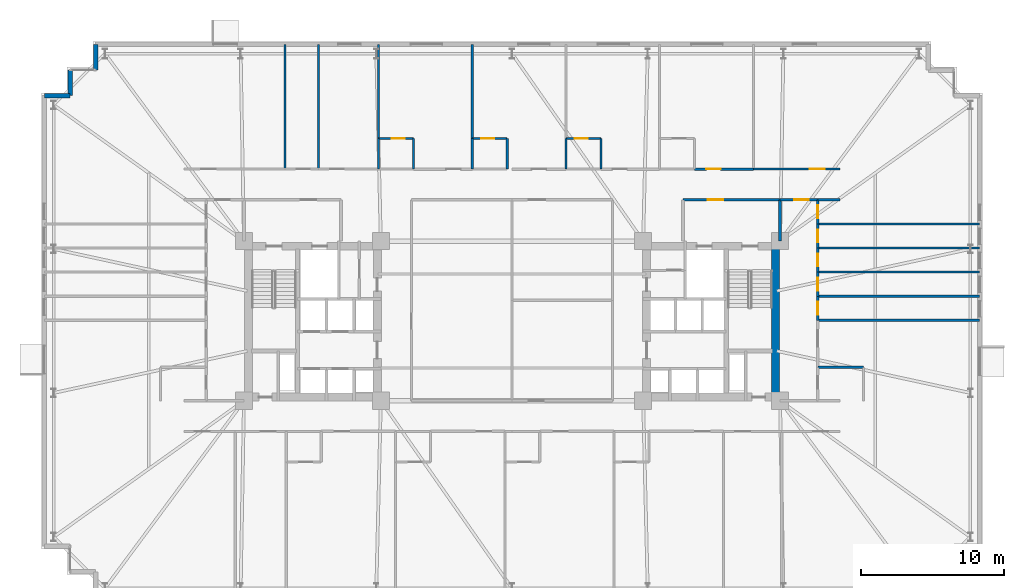
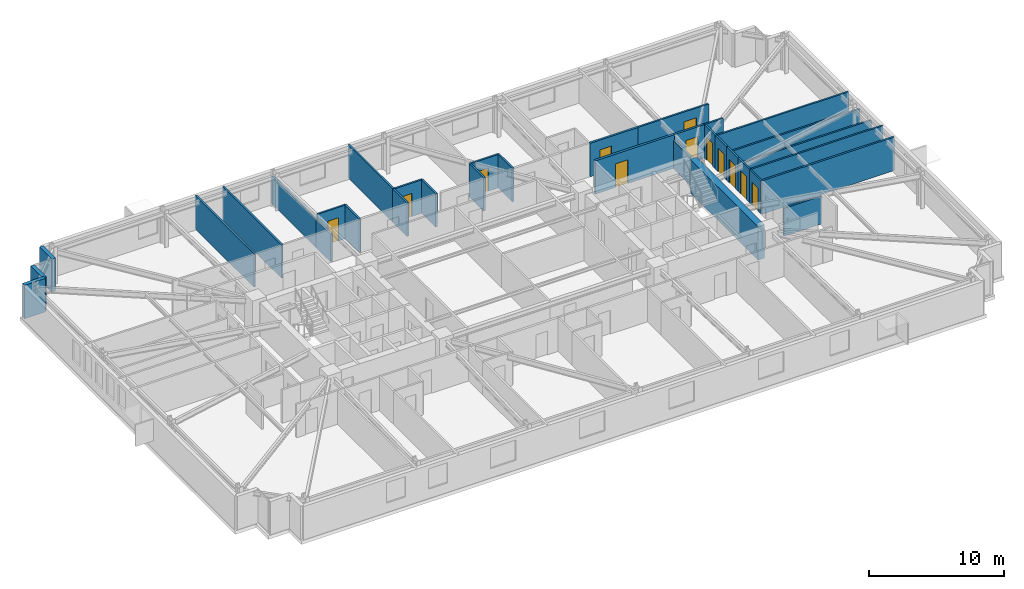
# One storey, part 18 of 21: 34 walls, 12 doors, 12 openings.
"""IFC4 building model written with IfcOpenShell, lengths in metres."""

from ifc_helpers import new_model, si_unit, direction, frame, frame_2d, origin, place, context, subcontext, project, spatial, rectangle, extrude, material, layer, layer_set, type_object, element, fill, save


model = new_model("IFC4")

# Units and contexts
model_context = context("Model", 3, precision=1e-05, world=origin(), true_north=direction((0.0, 1.0)))
body_context = subcontext(model_context, "Body", "Model", "MODEL_VIEW")
ifc_project = project(units=[si_unit("LENGTHUNIT", "METRE"), si_unit("AREAUNIT", "SQUARE_METRE"), si_unit("VOLUMEUNIT", "CUBIC_METRE"), si_unit("PLANEANGLEUNIT", "RADIAN"), si_unit("MASSUNIT", "GRAM", prefix="KILO")], contexts=[model_context])

# Site, building, storey
site_placement = place(None, origin())
site = spatial("IfcSite", under=ifc_project, at=site_placement, CompositionType="ELEMENT")
building_placement = place(site_placement, origin())
building = spatial("IfcBuilding", under=site, at=building_placement, Name="Qobustan Lattice House", CompositionType="ELEMENT")
storey_placement = place(building_placement, frame((0.0, 0.0, 30.35009765625)))
storey = spatial("IfcBuildingStorey", under=building, at=storey_placement, Name="L07", CompositionType="ELEMENT", Elevation=30.35009765625)

# Walls
ifc_material_1 = material(Name="Concrete C60/75", Category="concrete")
ifc_layer_1 = layer(ifc_material_1, 0.56005859375)
ifc_layer_set_1 = layer_set([ifc_layer_1], Name="Concrete C60/75")
wall_type_1 = type_object("IfcWallType", Name="WAL-CORE-600", PredefinedType="SHEAR", material=ifc_layer_set_1)
wall_1_placement = place(storey_placement, frame((18.489990234375, -5.050048828125, 0.0), z_axis=(0.0, 0.0, 1.0), x_axis=(0.0, 1.0, 0.0)))
element("IfcWall", 1, at=wall_1_placement, inside=storey, type_object=wall_type_1, Name="L07 split-core shear wall CE-E", PredefinedType="SHEAR", context=body_context, shape_type="SweptSolid", body=[
    extrude(rectangle(XDim=10.10009765625, YDim=0.56005859375, at=frame_2d((5.050048828125, 0.0))), origin(), (0.0, 0.0, 1.0), 3.034912109375),
])
ifc_material_2 = material(Name="Precast concrete C40/50", Category="concrete")
ifc_layer_2 = layer(ifc_material_2, 0.320068359375)
ifc_layer_set_2 = layer_set([ifc_layer_2], Name="Precast concrete C40/50")
wall_type_2 = type_object("IfcWallType", Name="WAL-EXT-STONE-320", PredefinedType="SOLIDWALL", material=ifc_layer_set_2)
for number, where, z_axis, x_axis, name in (
    (2, (-32.800048828125, 15.800048828125, 0.0), (0.0, 0.0, 1.0), (1.0, 0.0, 0.0), "L07 exterior limestone-clad wall 6"),
    (3, (-31.0, 15.800048828125, 0.0), (0.0, 0.0, 1.0), (0.0, 1.0, 0.0), "L07 exterior limestone-clad wall 7"),
):
    element("IfcWall", number, at=place(storey_placement, frame(where, z_axis=z_axis, x_axis=x_axis)), inside=storey, type_object=wall_type_2, Name=name, PredefinedType="SOLIDWALL", context=body_context, shape_type="SweptSolid", body=[
        extrude(rectangle(XDim=1.800048828125, YDim=0.320068359375, at=frame_2d((0.89990234375, 0.0))), origin(), (0.0, 0.0, 1.0), 3.034912109375),
    ])
wall_2_placement = place(storey_placement, frame((-29.199951171875, 17.60009765625, 0.0), z_axis=(0.0, 0.0, 1.0), x_axis=(0.0, 1.0, 0.0)))
element("IfcWall", 4, at=wall_2_placement, inside=storey, type_object=wall_type_2, Name="L07 exterior limestone-clad wall 9", PredefinedType="SOLIDWALL", context=body_context, shape_type="SweptSolid", body=[
    extrude(rectangle(XDim=1.7998046875, YDim=0.320068359375, at=frame_2d((0.89990234375, 0.0))), origin(), (0.0, 0.0, 1.0), 3.034912109375),
])

# Wall, opening, door
ifc_material_3 = material(Name="Gypsum fireboard acoustic partition", Category="gypsum")
ifc_layer_3 = layer(ifc_material_3, 0.179931640625)
ifc_layer_set_3 = layer_set([ifc_layer_3], Name="Gypsum fireboard acoustic partition")
wall_type_3 = type_object("IfcWallType", Name="WAL-FIRE-180", PredefinedType="PARTITIONING", material=ifc_layer_set_3)
wall_3_placement = place(storey_placement, frame((21.449951171875, 8.5, 0.0), z_axis=(0.0, 0.0, 1.0), x_axis=(-1.0, 0.0, 0.0)))
wall_3 = element("IfcWall", 5, at=wall_3_placement, inside=storey, type_object=wall_type_3, Name="L07 interior partition 47", PredefinedType="PARTITIONING", context=body_context, shape_type="SweptSolid", body=[
    extrude(rectangle(XDim=2.64990234375, YDim=0.179931640625, at=frame_2d((1.324951171875, 0.0))), origin(), (0.0, 0.0, 1.0), 3.034912109375),
])
opening_1_placement = place(wall_3_placement, frame((0.64111328125, 0.0, 0.0)))
opening_1 = element("IfcOpeningElement", 6, at=opening_1_placement, cuts=wall_3, Name="Opening FD-02", PredefinedType="OPENING", context=body_context, shape_type="SweptSolid", body=[
    extrude(rectangle(XDim=1.0, YDim=2.14990234375, at=frame_2d((0.5, 1.074951171875))), frame((0.0, 0.099853515625, 0.0), z_axis=(0.0, -1.0, 0.0), x_axis=(1.0, 0.0, 0.0)), (0.0, 0.0, 1.0), 0.199951171875),
])
ifc_material_4 = material(Name="Persian walnut timber and steel frame door", Category="steel")
door_type_1 = type_object("IfcDoorType", Name="DOR-UNIT-FD-1000x2150", OperationType="NOTDEFINED", PredefinedType="DOOR", material=ifc_material_4)
door_1_placement = place(opening_1_placement, origin())
door_1 = element("IfcDoor", 7, at=door_1_placement, inside=storey, type_object=door_type_1, Name="L07 North-east floor corridor to Residence entrance hall L07E door", OperationType="SINGLE_SWING_LEFT", OverallHeight=2.14990234375, OverallWidth=1.0, PredefinedType="DOOR", context=body_context, shape_type="SweptSolid", body=[
    extrude(rectangle(XDim=1.0, YDim=2.14990234375, at=frame_2d((0.5, 1.074951171875))), frame((0.0, 0.02490234375, 0.0), z_axis=(0.0, -1.0, 0.0), x_axis=(1.0, 0.0, 0.0)), (0.0, 0.0, 1.0), 0.050048828125),
])
fill(opening_1, door_1)

wall_4_placement = place(storey_placement, frame((12.806884765625, 10.64990234375, 0.0), z_axis=(0.0, 0.0, 1.0), x_axis=(1.0, 0.0, 0.0)))
wall_4 = element("IfcWall", 8, at=wall_4_placement, inside=storey, type_object=wall_type_3, Name="L07 interior partition 52", PredefinedType="PARTITIONING", context=body_context, shape_type="SweptSolid", body=[
    extrude(rectangle(XDim=4.1220703125, YDim=0.179931640625, at=frame_2d((2.06103515625, 0.0))), origin(), (0.0, 0.0, 1.0), 3.034912109375),
])
opening_2_placement = place(wall_4_placement, frame((0.8251953125, 0.0, 0.0)))
opening_2 = element("IfcOpeningElement", 9, at=opening_2_placement, cuts=wall_4, Name="Opening FD-02", PredefinedType="OPENING", context=body_context, shape_type="SweptSolid", body=[
    extrude(rectangle(XDim=1.0, YDim=2.14990234375, at=frame_2d((0.5, 1.074951171875))), frame((0.0, 0.099853515625, 0.0), z_axis=(0.0, -1.0, 0.0), x_axis=(1.0, 0.0, 0.0)), (0.0, 0.0, 1.0), 0.199951171875),
])
door_2_placement = place(opening_2_placement, origin())
door_2 = element("IfcDoor", 10, at=door_2_placement, inside=storey, type_object=door_type_1, Name="L07 North-east floor corridor to Kitchenette and studio apartment L07-N6 door", OperationType="SINGLE_SWING_RIGHT", OverallHeight=2.14990234375, OverallWidth=1.0, PredefinedType="DOOR", context=body_context, shape_type="SweptSolid", body=[
    extrude(rectangle(XDim=1.0, YDim=2.14990234375, at=frame_2d((0.5, 1.074951171875))), frame((0.0, 0.02490234375, 0.0), z_axis=(0.0, -1.0, 0.0), x_axis=(1.0, 0.0, 0.0)), (0.0, 0.0, 1.0), 0.050048828125),
])
fill(opening_2, door_2)

# Wall
ifc_material_5 = material(Name="Acoustic twin-stud gypsum partition", Category="gypsum")
ifc_layer_4 = layer(ifc_material_5, 0.14990234375)
ifc_layer_set_4 = layer_set([ifc_layer_4], Name="Acoustic twin-stud gypsum partition")
wall_type_4 = type_object("IfcWallType", Name="WAL-PART-150", PredefinedType="PARTITIONING", material=ifc_layer_set_4)
wall_5_placement = place(storey_placement, frame((23.0, 8.5, 0.0), z_axis=(0.0, 0.0, 1.0), x_axis=(-1.0, 0.0, 0.0)))
element("IfcWall", 11, at=wall_5_placement, inside=storey, type_object=wall_type_4, Name="L07 interior partition 48", PredefinedType="PARTITIONING", context=body_context, shape_type="SweptSolid", body=[
    extrude(rectangle(XDim=1.550048828125, YDim=0.14990234375, at=frame_2d((0.77490234375, 0.0))), origin(), (0.0, 0.0, 1.0), 3.034912109375),
])

# Wall, opening, door
wall_6_placement = place(storey_placement, frame((16.928955078125, 10.64990234375, 0.0), z_axis=(0.0, 0.0, 1.0), x_axis=(1.0, 0.0, 0.0)))
wall_6 = element("IfcWall", 12, at=wall_6_placement, inside=storey, type_object=wall_type_4, Name="L07 interior partition 54", PredefinedType="PARTITIONING", context=body_context, shape_type="SweptSolid", body=[
    extrude(rectangle(XDim=6.071044921875, YDim=0.14990234375, at=frame_2d((3.03564453125, 0.0))), origin(), (0.0, 0.0, 1.0), 3.034912109375),
])
opening_3_placement = place(wall_6_placement, frame((3.95849609375, 0.0, 0.0)))
opening_3 = element("IfcOpeningElement", 13, at=opening_3_placement, cuts=wall_6, Name="Opening ID-02", PredefinedType="OPENING", context=body_context, shape_type="SweptSolid", body=[
    extrude(rectangle(XDim=1.050048828125, YDim=2.14990234375, at=frame_2d((0.52490234375, 1.074951171875))), frame((0.0, 0.0849609375, 0.0), z_axis=(0.0, -1.0, 0.0), x_axis=(1.0, 0.0, 0.0)), (0.0, 0.0, 1.0), 0.169921875),
])
ifc_material_6 = material(Name="Persian walnut timber and steel frame door", Category="steel")
door_type_2 = type_object("IfcDoorType", Name="DOR-STUDY-1050x2150", OperationType="NOTDEFINED", PredefinedType="DOOR", material=ifc_material_6)
door_3_placement = place(opening_3_placement, origin())
door_3 = element("IfcDoor", 14, at=door_3_placement, inside=storey, type_object=door_type_2, Name="L07 North-east floor corridor to Focus study room N7 door", OperationType="SINGLE_SWING_LEFT", OverallHeight=2.14990234375, OverallWidth=1.050048828125, PredefinedType="DOOR", context=body_context, shape_type="SweptSolid", body=[
    extrude(rectangle(XDim=1.050048828125, YDim=2.14990234375, at=frame_2d((0.52490234375, 1.074951171875))), frame((0.0, 0.02490234375, 0.0), z_axis=(0.0, -1.0, 0.0), x_axis=(1.0, 0.0, 0.0)), (0.0, 0.0, 1.0), 0.050048828125),
])
fill(opening_3, door_3)

wall_7_placement = place(storey_placement, frame((21.449951171875, 1.73193359375, 0.0), z_axis=(0.0, 0.0, 1.0), x_axis=(0.0, -1.0, 0.0)))
wall_7 = element("IfcWall", 15, at=wall_7_placement, inside=storey, type_object=wall_type_4, Name="L07 interior partition 94", PredefinedType="PARTITIONING", context=body_context, shape_type="SweptSolid", body=[
    extrude(rectangle(XDim=1.69189453125, YDim=0.14990234375, at=frame_2d((0.845947265625, 0.0))), origin(), (0.0, 0.0, 1.0), 3.034912109375),
])
opening_4_placement = place(wall_7_placement, frame((0.39599609375, 0.0, 0.0)))
opening_4 = element("IfcOpeningElement", 16, at=opening_4_placement, cuts=wall_7, Name="Opening WD-01", PredefinedType="OPENING", context=body_context, shape_type="SweptSolid", body=[
    extrude(rectangle(XDim=0.89990234375, YDim=2.10009765625, at=frame_2d((0.449951171875, 1.050048828125))), frame((0.0, 0.0849609375, 0.0), z_axis=(0.0, -1.0, 0.0), x_axis=(1.0, 0.0, 0.0)), (0.0, 0.0, 1.0), 0.169921875),
])
ifc_material_7 = material(Name="Persian walnut timber and steel frame door", Category="steel")
door_type_3 = type_object("IfcDoorType", Name="DOR-WET-900x2100", OperationType="NOTDEFINED", PredefinedType="DOOR", material=ifc_material_7)
door_4_placement = place(opening_4_placement, origin())
door_4 = element("IfcDoor", 17, at=door_4_placement, inside=storey, type_object=door_type_3, Name="L07 Residence entrance hall L07E to Cluster bedroom L07E1 door", OperationType="SINGLE_SWING_RIGHT", OverallHeight=2.10009765625, OverallWidth=0.89990234375, PredefinedType="DOOR", context=body_context, shape_type="SweptSolid", body=[
    extrude(rectangle(XDim=0.89990234375, YDim=2.10009765625, at=frame_2d((0.449951171875, 1.050048828125))), frame((0.0, 0.02490234375, 0.0), z_axis=(0.0, -1.0, 0.0), x_axis=(1.0, 0.0, 0.0)), (0.0, 0.0, 1.0), 0.050048828125),
])
fill(opening_4, door_4)

wall_8_placement = place(storey_placement, frame((21.449951171875, 3.424072265625, 0.0), z_axis=(0.0, 0.0, 1.0), x_axis=(0.0, -1.0, 0.0)))
wall_8 = element("IfcWall", 18, at=wall_8_placement, inside=storey, type_object=wall_type_4, Name="L07 interior partition 95", PredefinedType="PARTITIONING", context=body_context, shape_type="SweptSolid", body=[
    extrude(rectangle(XDim=1.692138671875, YDim=0.14990234375, at=frame_2d((0.84619140625, 0.0))), origin(), (0.0, 0.0, 1.0), 3.034912109375),
])
opening_5_placement = place(wall_8_placement, frame((0.39599609375, 0.0, 0.0)))
opening_5 = element("IfcOpeningElement", 19, at=opening_5_placement, cuts=wall_8, Name="Opening WD-01", PredefinedType="OPENING", context=body_context, shape_type="SweptSolid", body=[
    extrude(rectangle(XDim=0.89990234375, YDim=2.10009765625, at=frame_2d((0.449951171875, 1.050048828125))), frame((0.0, 0.0849609375, 0.0), z_axis=(0.0, -1.0, 0.0), x_axis=(1.0, 0.0, 0.0)), (0.0, 0.0, 1.0), 0.169921875),
])
door_5_placement = place(opening_5_placement, origin())
door_5 = element("IfcDoor", 20, at=door_5_placement, inside=storey, type_object=door_type_3, Name="L07 Residence entrance hall L07E to Cluster bedroom L07E2 door", OperationType="SINGLE_SWING_LEFT", OverallHeight=2.10009765625, OverallWidth=0.89990234375, PredefinedType="DOOR", context=body_context, shape_type="SweptSolid", body=[
    extrude(rectangle(XDim=0.89990234375, YDim=2.10009765625, at=frame_2d((0.449951171875, 1.050048828125))), frame((0.0, 0.02490234375, 0.0), z_axis=(0.0, -1.0, 0.0), x_axis=(1.0, 0.0, 0.0)), (0.0, 0.0, 1.0), 0.050048828125),
])
fill(opening_5, door_5)

wall_9_placement = place(storey_placement, frame((21.449951171875, 5.115966796875, 0.0), z_axis=(0.0, 0.0, 1.0), x_axis=(0.0, -1.0, 0.0)))
wall_9 = element("IfcWall", 21, at=wall_9_placement, inside=storey, type_object=wall_type_4, Name="L07 interior partition 96", PredefinedType="PARTITIONING", context=body_context, shape_type="SweptSolid", body=[
    extrude(rectangle(XDim=1.69189453125, YDim=0.14990234375, at=frame_2d((0.845947265625, 0.0))), origin(), (0.0, 0.0, 1.0), 3.034912109375),
])
opening_6_placement = place(wall_9_placement, frame((0.39599609375, 0.0, 0.0)))
opening_6 = element("IfcOpeningElement", 22, at=opening_6_placement, cuts=wall_9, Name="Opening WD-01", PredefinedType="OPENING", context=body_context, shape_type="SweptSolid", body=[
    extrude(rectangle(XDim=0.89990234375, YDim=2.10009765625, at=frame_2d((0.449951171875, 1.050048828125))), frame((0.0, 0.0849609375, 0.0), z_axis=(0.0, -1.0, 0.0), x_axis=(1.0, 0.0, 0.0)), (0.0, 0.0, 1.0), 0.169921875),
])
door_6_placement = place(opening_6_placement, origin())
door_6 = element("IfcDoor", 23, at=door_6_placement, inside=storey, type_object=door_type_3, Name="L07 Residence entrance hall L07E to Cluster bedroom L07E3 door", OperationType="SINGLE_SWING_RIGHT", OverallHeight=2.10009765625, OverallWidth=0.89990234375, PredefinedType="DOOR", context=body_context, shape_type="SweptSolid", body=[
    extrude(rectangle(XDim=0.89990234375, YDim=2.10009765625, at=frame_2d((0.449951171875, 1.050048828125))), frame((0.0, 0.02490234375, 0.0), z_axis=(0.0, -1.0, 0.0), x_axis=(1.0, 0.0, 0.0)), (0.0, 0.0, 1.0), 0.050048828125),
])
fill(opening_6, door_6)

wall_10_placement = place(storey_placement, frame((21.449951171875, 6.80810546875, 0.0), z_axis=(0.0, 0.0, 1.0), x_axis=(0.0, -1.0, 0.0)))
wall_10 = element("IfcWall", 24, at=wall_10_placement, inside=storey, type_object=wall_type_4, Name="L07 interior partition 97", PredefinedType="PARTITIONING", context=body_context, shape_type="SweptSolid", body=[
    extrude(rectangle(XDim=1.692138671875, YDim=0.14990234375, at=frame_2d((0.84619140625, 0.0))), origin(), (0.0, 0.0, 1.0), 3.034912109375),
])
opening_7_placement = place(wall_10_placement, frame((0.39599609375, 0.0, 0.0)))
opening_7 = element("IfcOpeningElement", 25, at=opening_7_placement, cuts=wall_10, Name="Opening WD-01", PredefinedType="OPENING", context=body_context, shape_type="SweptSolid", body=[
    extrude(rectangle(XDim=0.89990234375, YDim=2.10009765625, at=frame_2d((0.449951171875, 1.050048828125))), frame((0.0, 0.0849609375, 0.0), z_axis=(0.0, -1.0, 0.0), x_axis=(1.0, 0.0, 0.0)), (0.0, 0.0, 1.0), 0.169921875),
])
door_7_placement = place(opening_7_placement, origin())
door_7 = element("IfcDoor", 26, at=door_7_placement, inside=storey, type_object=door_type_3, Name="L07 Residence entrance hall L07E to Cluster bedroom L07E4 door", OperationType="SINGLE_SWING_LEFT", OverallHeight=2.10009765625, OverallWidth=0.89990234375, PredefinedType="DOOR", context=body_context, shape_type="SweptSolid", body=[
    extrude(rectangle(XDim=0.89990234375, YDim=2.10009765625, at=frame_2d((0.449951171875, 1.050048828125))), frame((0.0, 0.02490234375, 0.0), z_axis=(0.0, -1.0, 0.0), x_axis=(1.0, 0.0, 0.0)), (0.0, 0.0, 1.0), 0.050048828125),
])
fill(opening_7, door_7)

wall_11_placement = place(storey_placement, frame((21.449951171875, 8.5, 0.0), z_axis=(0.0, 0.0, 1.0), x_axis=(0.0, -1.0, 0.0)))
wall_11 = element("IfcWall", 27, at=wall_11_placement, inside=storey, type_object=wall_type_4, Name="L07 interior partition 98", PredefinedType="PARTITIONING", context=body_context, shape_type="SweptSolid", body=[
    extrude(rectangle(XDim=1.69189453125, YDim=0.14990234375, at=frame_2d((0.845947265625, 0.0))), origin(), (0.0, 0.0, 1.0), 3.034912109375),
])
opening_8_placement = place(wall_11_placement, frame((0.39599609375, 0.0, 0.0)))
opening_8 = element("IfcOpeningElement", 28, at=opening_8_placement, cuts=wall_11, Name="Opening WD-01", PredefinedType="OPENING", context=body_context, shape_type="SweptSolid", body=[
    extrude(rectangle(XDim=0.89990234375, YDim=2.10009765625, at=frame_2d((0.449951171875, 1.050048828125))), frame((0.0, 0.0849609375, 0.0), z_axis=(0.0, -1.0, 0.0), x_axis=(1.0, 0.0, 0.0)), (0.0, 0.0, 1.0), 0.169921875),
])
door_8_placement = place(opening_8_placement, origin())
door_8 = element("IfcDoor", 29, at=door_8_placement, inside=storey, type_object=door_type_3, Name="L07 Residence entrance hall L07E to Cluster bedroom L07E5 door", OperationType="SINGLE_SWING_RIGHT", OverallHeight=2.10009765625, OverallWidth=0.89990234375, PredefinedType="DOOR", context=body_context, shape_type="SweptSolid", body=[
    extrude(rectangle(XDim=0.89990234375, YDim=2.10009765625, at=frame_2d((0.449951171875, 1.050048828125))), frame((0.0, 0.02490234375, 0.0), z_axis=(0.0, -1.0, 0.0), x_axis=(1.0, 0.0, 0.0)), (0.0, 0.0, 1.0), 0.050048828125),
])
fill(opening_8, door_8)

# Walls
wall_12_placement = place(storey_placement, frame((21.449951171875, 1.73193359375, 0.0), z_axis=(0.0, 0.0, 1.0), x_axis=(1.0, 0.0, 0.0)))
element("IfcWall", 30, at=wall_12_placement, inside=storey, type_object=wall_type_4, Name="L07 interior partition 102", PredefinedType="PARTITIONING", context=body_context, shape_type="SweptSolid", body=[
    extrude(rectangle(XDim=11.35009765625, YDim=0.14990234375, at=frame_2d((5.675048828125, 0.0))), origin(), (0.0, 0.0, 1.0), 3.034912109375),
])
for number, where, z_axis, x_axis, name in (
    (31, (21.449951171875, 3.424072265625, 0.0), (0.0, 0.0, 1.0), (1.0, 0.0, 0.0), "L07 interior partition 103"),
    (32, (21.449951171875, 5.115966796875, 0.0), (0.0, 0.0, 1.0), (1.0, 0.0, 0.0), "L07 interior partition 104"),
):
    element("IfcWall", number, at=place(storey_placement, frame(where, z_axis=z_axis, x_axis=x_axis)), inside=storey, type_object=wall_type_4, Name=name, PredefinedType="PARTITIONING", context=body_context, shape_type="SweptSolid", body=[
        extrude(rectangle(XDim=11.35009765625, YDim=0.14990234375, at=frame_2d((5.675048828125, 0.0))), origin(), (0.0, 0.0, 1.0), 2.52001953125),
    ])
wall_13_placement = place(storey_placement, frame((21.449951171875, 6.80810546875, 0.0), z_axis=(0.0, 0.0, 1.0), x_axis=(1.0, 0.0, 0.0)))
element("IfcWall", 33, at=wall_13_placement, inside=storey, type_object=wall_type_4, Name="L07 interior partition 105", PredefinedType="PARTITIONING", context=body_context, shape_type="SweptSolid", body=[
    extrude(rectangle(XDim=11.35009765625, YDim=0.14990234375, at=frame_2d((5.675048828125, 0.0))), origin(), (0.0, 0.0, 1.0), 3.034912109375),
])
wall_14_placement = place(storey_placement, frame((-9.35693359375, 19.39990234375, 0.0), z_axis=(0.0, 0.0, 1.0), x_axis=(0.0, -1.0, 0.0)))
element("IfcWall", 34, at=wall_14_placement, inside=storey, type_object=wall_type_4, Name="L07 interior partition 108", PredefinedType="PARTITIONING", context=body_context, shape_type="SweptSolid", body=[
    extrude(rectangle(XDim=6.599853515625, YDim=0.14990234375, at=frame_2d((3.2998046875, 0.0))), origin(), (0.0, 0.0, 1.0), 2.52001953125),
])
wall_15_placement = place(storey_placement, frame((-2.785888671875, 19.39990234375, 0.0), z_axis=(0.0, 0.0, 1.0), x_axis=(0.0, -1.0, 0.0)))
element("IfcWall", 35, at=wall_15_placement, inside=storey, type_object=wall_type_4, Name="L07 interior partition 112", PredefinedType="PARTITIONING", context=body_context, shape_type="SweptSolid", body=[
    extrude(rectangle(XDim=6.599853515625, YDim=0.14990234375, at=frame_2d((3.2998046875, 0.0))), origin(), (0.0, 0.0, 1.0), 3.034912109375),
])
ifc_material_8 = material(Name="High-mass acoustic twin-stud partition", Category="gypsum")
ifc_layer_5 = layer(ifc_material_8, 0.1650390625)
ifc_layer_set_5 = layer_set([ifc_layer_5], Name="High-mass acoustic twin-stud partition")
wall_type_5 = type_object("IfcWallType", Name="WAL-PART-165", PredefinedType="PARTITIONING", material=ifc_layer_set_5)
wall_16_placement = place(storey_placement, frame((21.449951171875, 0.0400390625, 0.0), z_axis=(0.0, 0.0, 1.0), x_axis=(1.0, 0.0, 0.0)))
element("IfcWall", 36, at=wall_16_placement, inside=storey, type_object=wall_type_5, Name="L07 interior partition 101", PredefinedType="PARTITIONING", context=body_context, shape_type="SweptSolid", body=[
    extrude(rectangle(XDim=11.35009765625, YDim=0.1650390625, at=frame_2d((5.675048828125, 0.0))), origin(), (0.0, 0.0, 1.0), 3.034912109375),
])

# Wall, opening, door
ifc_material_9 = material(Name="Two-hour gypsum fireboard acoustic partition", Category="gypsum")
ifc_layer_6 = layer(ifc_material_9, 0.199951171875)
ifc_layer_set_6 = layer_set([ifc_layer_6], Name="Two-hour gypsum fireboard acoustic partition")
wall_type_6 = type_object("IfcWallType", Name="WAL-PROT-200", PredefinedType="PARTITIONING", material=ifc_layer_set_6)
wall_17_placement = place(storey_placement, frame((18.800048828125, 8.5, 0.0), z_axis=(0.0, 0.0, 1.0), x_axis=(-1.0, 0.0, 0.0)))
wall_17 = element("IfcWall", 37, at=wall_17_placement, inside=storey, type_object=wall_type_6, Name="L07 interior partition 22", PredefinedType="PARTITIONING", context=body_context, shape_type="SweptSolid", body=[
    extrude(rectangle(XDim=6.800048828125, YDim=0.199951171875, at=frame_2d((3.39990234375, 0.0))), origin(), (0.0, 0.0, 1.0), 3.034912109375),
])
opening_9_placement = place(wall_17_placement, frame((3.985107421875, 0.0, 0.0)))
opening_9 = element("IfcOpeningElement", 38, at=opening_9_placement, cuts=wall_17, Name="Opening SD-01", PredefinedType="OPENING", context=body_context, shape_type="SweptSolid", body=[
    extrude(rectangle(XDim=1.10009765625, YDim=2.14990234375, at=frame_2d((0.550048828125, 1.074951171875))), frame((0.0, 0.10986328125, 0.0), z_axis=(0.0, -1.0, 0.0), x_axis=(1.0, 0.0, 0.0)), (0.0, 0.0, 1.0), 0.219970703125),
])
ifc_material_10 = material(Name="Persian walnut timber and steel frame door", Category="steel")
door_type_4 = type_object("IfcDoorType", Name="DOR-STAIR-FD-1100x2150", OperationType="NOTDEFINED", PredefinedType="DOOR", material=ifc_material_10)
door_9_placement = place(opening_9_placement, origin())
door_9 = element("IfcDoor", 39, at=door_9_placement, inside=storey, type_object=door_type_4, Name="L07 East firefighting lift lobby to North-east floor corridor door", OperationType="SINGLE_SWING_RIGHT", OverallHeight=2.14990234375, OverallWidth=1.10009765625, PredefinedType="DOOR", context=body_context, shape_type="SweptSolid", body=[
    extrude(rectangle(XDim=1.10009765625, YDim=2.14990234375, at=frame_2d((0.550048828125, 1.074951171875))), frame((0.0, 0.02490234375, 0.0), z_axis=(0.0, -1.0, 0.0), x_axis=(1.0, 0.0, 0.0)), (0.0, 0.0, 1.0), 0.050048828125),
])
fill(opening_9, door_9)

# Walls
wall_18_placement = place(storey_placement, frame((18.800048828125, 5.60009765625, 0.0), z_axis=(0.0, 0.0, 1.0), x_axis=(0.0, 1.0, 0.0)))
element("IfcWall", 40, at=wall_18_placement, inside=storey, type_object=wall_type_6, Name="L07 interior partition 24", PredefinedType="PARTITIONING", context=body_context, shape_type="SweptSolid", body=[
    extrude(rectangle(XDim=2.89990234375, YDim=0.199951171875, at=frame_2d((1.449951171875, 0.0))), origin(), (0.0, 0.0, 1.0), 2.52001953125),
])
ifc_material_11 = material(Name="Moisture-resistant acoustic plumbing wall", Category="gypsum")
ifc_layer_7 = layer(ifc_material_11, 0.14990234375)
ifc_layer_set_7 = layer_set([ifc_layer_7], Name="Moisture-resistant acoustic plumbing wall")
wall_type_7 = type_object("IfcWallType", Name="WAL-WET-150", PredefinedType="PLUMBINGWALL", material=ifc_layer_set_7)
wall_19_placement = place(storey_placement, frame((21.449951171875, -3.25, 0.0), z_axis=(0.0, 0.0, 1.0), x_axis=(1.0, 0.0, 0.0)))
element("IfcWall", 41, at=wall_19_placement, inside=storey, type_object=wall_type_7, Name="L07 interior partition 99", PredefinedType="PLUMBINGWALL", context=body_context, shape_type="SweptSolid", body=[
    extrude(rectangle(XDim=3.199951171875, YDim=0.14990234375, at=frame_2d((1.60009765625, 0.0))), origin(), (0.0, 0.0, 1.0), 2.52001953125),
])
for number, where, z_axis, x_axis, name in (
    (42, (-15.928955078125, 19.39990234375, 0.0), (0.0, 0.0, 1.0), (0.0, -1.0, 0.0), "L07 interior partition 106"),
    (43, (-13.5791015625, 19.39990234375, 0.0), (0.0, 0.0, 1.0), (0.0, -1.0, 0.0), "L07 interior partition 107"),
):
    element("IfcWall", number, at=place(storey_placement, frame(where, z_axis=z_axis, x_axis=x_axis)), inside=storey, type_object=wall_type_7, Name=name, PredefinedType="PLUMBINGWALL", context=body_context, shape_type="SweptSolid", body=[
        extrude(rectangle(XDim=8.75, YDim=0.14990234375, at=frame_2d((4.375, 0.0))), origin(), (0.0, 0.0, 1.0), 3.034912109375),
    ])
wall_20_placement = place(storey_placement, frame((-9.35693359375, 12.800048828125, 0.0), z_axis=(0.0, 0.0, 1.0), x_axis=(0.0, -1.0, 0.0)))
element("IfcWall", 44, at=wall_20_placement, inside=storey, type_object=wall_type_7, Name="L07 interior partition 109", PredefinedType="PLUMBINGWALL", context=body_context, shape_type="SweptSolid", body=[
    extrude(rectangle(XDim=2.150146484375, YDim=0.14990234375, at=frame_2d((1.0751953125, 0.0))), origin(), (0.0, 0.0, 1.0), 2.52001953125),
])

# Wall, opening, door
wall_21_placement = place(storey_placement, frame((-6.906982421875, 12.800048828125, 0.0), z_axis=(0.0, 0.0, 1.0), x_axis=(-1.0, 0.0, 0.0)))
wall_21 = element("IfcWall", 45, at=wall_21_placement, inside=storey, type_object=wall_type_7, Name="L07 interior partition 110", PredefinedType="PLUMBINGWALL", context=body_context, shape_type="SweptSolid", body=[
    extrude(rectangle(XDim=2.449951171875, YDim=0.14990234375, at=frame_2d((1.22509765625, 0.0))), origin(), (0.0, 0.0, 1.0), 3.034912109375),
])
opening_10_placement = place(wall_21_placement, frame((0.628662109375, 0.0, 0.0)))
opening_10 = element("IfcOpeningElement", 46, at=opening_10_placement, cuts=wall_21, Name="Opening WD-01", PredefinedType="OPENING", context=body_context, shape_type="SweptSolid", body=[
    extrude(rectangle(XDim=0.89990234375, YDim=2.10009765625, at=frame_2d((0.449951171875, 1.050048828125))), frame((0.0, 0.0849609375, 0.0), z_axis=(0.0, -1.0, 0.0), x_axis=(1.0, 0.0, 0.0)), (0.0, 0.0, 1.0), 0.169921875),
])
door_10_placement = place(opening_10_placement, origin())
door_10 = element("IfcDoor", 47, at=door_10_placement, inside=storey, type_object=door_type_3, Name="L07 Kitchenette and studio apartment L07-N3 to En-suite bathroom L07-N3 door", OperationType="SINGLE_SWING_LEFT", OverallHeight=2.10009765625, OverallWidth=0.89990234375, PredefinedType="DOOR", context=body_context, shape_type="SweptSolid", body=[
    extrude(rectangle(XDim=0.89990234375, YDim=2.10009765625, at=frame_2d((0.449951171875, 1.050048828125))), frame((0.0, 0.02490234375, 0.0), z_axis=(0.0, -1.0, 0.0), x_axis=(1.0, 0.0, 0.0)), (0.0, 0.0, 1.0), 0.050048828125),
])
fill(opening_10, door_10)

# Walls
for number, where, z_axis, x_axis, name in (
    (48, (-6.906982421875, 10.64990234375, 0.0), (0.0, 0.0, 1.0), (0.0, 1.0, 0.0), "L07 interior partition 111"),
    (49, (-2.785888671875, 12.800048828125, 0.0), (0.0, 0.0, 1.0), (0.0, -1.0, 0.0), "L07 interior partition 113"),
):
    element("IfcWall", number, at=place(storey_placement, frame(where, z_axis=z_axis, x_axis=x_axis)), inside=storey, type_object=wall_type_7, Name=name, PredefinedType="PLUMBINGWALL", context=body_context, shape_type="SweptSolid", body=[
        extrude(rectangle(XDim=2.150146484375, YDim=0.14990234375, at=frame_2d((1.0751953125, 0.0))), origin(), (0.0, 0.0, 1.0), 3.034912109375),
    ])

# Wall, opening, door
wall_22_placement = place(storey_placement, frame((-0.3359375, 12.800048828125, 0.0), z_axis=(0.0, 0.0, 1.0), x_axis=(-1.0, 0.0, 0.0)))
wall_22 = element("IfcWall", 50, at=wall_22_placement, inside=storey, type_object=wall_type_7, Name="L07 interior partition 114", PredefinedType="PLUMBINGWALL", context=body_context, shape_type="SweptSolid", body=[
    extrude(rectangle(XDim=2.449951171875, YDim=0.14990234375, at=frame_2d((1.22509765625, 0.0))), origin(), (0.0, 0.0, 1.0), 3.034912109375),
])
opening_11_placement = place(wall_22_placement, frame((0.92138671875, 0.0, 0.0)))
opening_11 = element("IfcOpeningElement", 51, at=opening_11_placement, cuts=wall_22, Name="Opening WD-01", PredefinedType="OPENING", context=body_context, shape_type="SweptSolid", body=[
    extrude(rectangle(XDim=0.89990234375, YDim=2.10009765625, at=frame_2d((0.449951171875, 1.050048828125))), frame((0.0, 0.0849609375, 0.0), z_axis=(0.0, -1.0, 0.0), x_axis=(1.0, 0.0, 0.0)), (0.0, 0.0, 1.0), 0.169921875),
])
door_11_placement = place(opening_11_placement, origin())
door_11 = element("IfcDoor", 52, at=door_11_placement, inside=storey, type_object=door_type_3, Name="L07 Kitchenette and studio apartment L07-N4 to En-suite bathroom L07-N4 door", OperationType="SINGLE_SWING_RIGHT", OverallHeight=2.10009765625, OverallWidth=0.89990234375, PredefinedType="DOOR", context=body_context, shape_type="SweptSolid", body=[
    extrude(rectangle(XDim=0.89990234375, YDim=2.10009765625, at=frame_2d((0.449951171875, 1.050048828125))), frame((0.0, 0.02490234375, 0.0), z_axis=(0.0, -1.0, 0.0), x_axis=(1.0, 0.0, 0.0)), (0.0, 0.0, 1.0), 0.050048828125),
])
fill(opening_11, door_11)

# Walls
for number, where, z_axis, x_axis, name in (
    (53, (-0.3359375, 10.64990234375, 0.0), (0.0, 0.0, 1.0), (0.0, 1.0, 0.0), "L07 interior partition 115"),
    (54, (3.785888671875, 12.800048828125, 0.0), (0.0, 0.0, 1.0), (0.0, -1.0, 0.0), "L07 interior partition 117"),
):
    element("IfcWall", number, at=place(storey_placement, frame(where, z_axis=z_axis, x_axis=x_axis)), inside=storey, type_object=wall_type_7, Name=name, PredefinedType="PLUMBINGWALL", context=body_context, shape_type="SweptSolid", body=[
        extrude(rectangle(XDim=2.150146484375, YDim=0.14990234375, at=frame_2d((1.0751953125, 0.0))), origin(), (0.0, 0.0, 1.0), 3.034912109375),
    ])

# Wall, opening, door
wall_23_placement = place(storey_placement, frame((6.236083984375, 12.800048828125, 0.0), z_axis=(0.0, 0.0, 1.0), x_axis=(-1.0, 0.0, 0.0)))
wall_23 = element("IfcWall", 55, at=wall_23_placement, inside=storey, type_object=wall_type_7, Name="L07 interior partition 118", PredefinedType="PLUMBINGWALL", context=body_context, shape_type="SweptSolid", body=[
    extrude(rectangle(XDim=2.4501953125, YDim=0.14990234375, at=frame_2d((1.22509765625, 0.0))), origin(), (0.0, 0.0, 1.0), 3.034912109375),
])
opening_12_placement = place(wall_23_placement, frame((0.921142578125, 0.0, 0.0)))
opening_12 = element("IfcOpeningElement", 56, at=opening_12_placement, cuts=wall_23, Name="Opening WD-01", PredefinedType="OPENING", context=body_context, shape_type="SweptSolid", body=[
    extrude(rectangle(XDim=0.89990234375, YDim=2.10009765625, at=frame_2d((0.449951171875, 1.050048828125))), frame((0.0, 0.0849609375, 0.0), z_axis=(0.0, -1.0, 0.0), x_axis=(1.0, 0.0, 0.0)), (0.0, 0.0, 1.0), 0.169921875),
])
door_12_placement = place(opening_12_placement, origin())
door_12 = element("IfcDoor", 57, at=door_12_placement, inside=storey, type_object=door_type_3, Name="L07 Kitchenette and studio apartment L07-N5 to En-suite bathroom L07-N5 door", OperationType="SINGLE_SWING_LEFT", OverallHeight=2.10009765625, OverallWidth=0.89990234375, PredefinedType="DOOR", context=body_context, shape_type="SweptSolid", body=[
    extrude(rectangle(XDim=0.89990234375, YDim=2.10009765625, at=frame_2d((0.449951171875, 1.050048828125))), frame((0.0, 0.02490234375, 0.0), z_axis=(0.0, -1.0, 0.0), x_axis=(1.0, 0.0, 0.0)), (0.0, 0.0, 1.0), 0.050048828125),
])
fill(opening_12, door_12)

# Wall
wall_24_placement = place(storey_placement, frame((6.236083984375, 10.64990234375, 0.0), z_axis=(0.0, 0.0, 1.0), x_axis=(0.0, 1.0, 0.0)))
element("IfcWall", 58, at=wall_24_placement, inside=storey, type_object=wall_type_7, Name="L07 interior partition 119", PredefinedType="PLUMBINGWALL", context=body_context, shape_type="SweptSolid", body=[
    extrude(rectangle(XDim=2.150146484375, YDim=0.14990234375, at=frame_2d((1.0751953125, 0.0))), origin(), (0.0, 0.0, 1.0), 3.034912109375),
])

save(model, "model.ifc")
